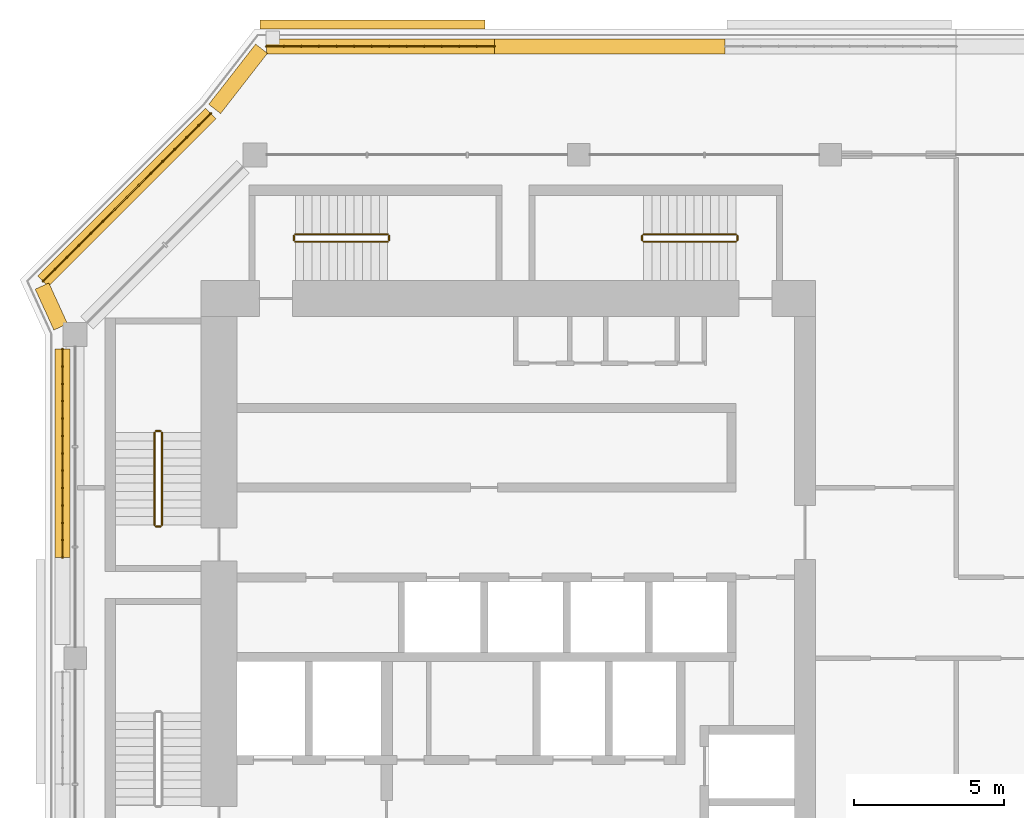
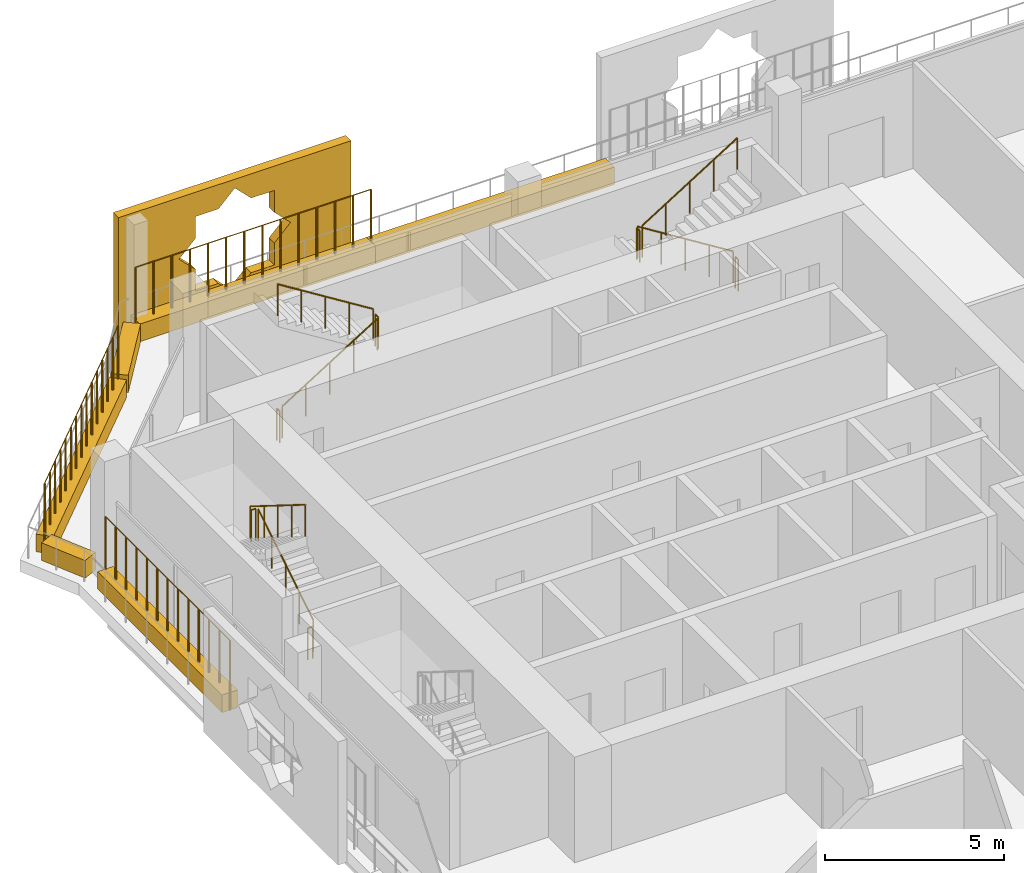
# One storey, part 20 of 22: 15 railings, 7 coverings.
"""IFC4 building model written with IfcOpenShell, lengths in metres."""

from ifc_helpers import new_model, si_unit, direction, frame, origin, origin_2d, place, context, subcontext, project, spatial, polyline, rectangle, circle, outline, extrude, material, material_profile, profile_set, type_object, element, save


model = new_model("IFC4")

# Units and contexts
model_context = context("Model", 3, precision=1e-05, world=origin(), true_north=direction((0.0, 1.0)))
body_context = subcontext(model_context, "Body", "Model", "MODEL_VIEW")
ifc_project = project(units=[si_unit("LENGTHUNIT", "METRE"), si_unit("AREAUNIT", "SQUARE_METRE"), si_unit("VOLUMEUNIT", "CUBIC_METRE"), si_unit("PLANEANGLEUNIT", "RADIAN"), si_unit("MASSUNIT", "GRAM", prefix="KILO")], contexts=[model_context])

# Site, building, storey
site_placement = place(None, origin())
site = spatial("IfcSite", under=ifc_project, at=site_placement, CompositionType="ELEMENT")
building_placement = place(site_placement, origin())
building = spatial("IfcBuilding", under=site, at=building_placement, Name="Kawkab Arch Medical Tower", CompositionType="ELEMENT")
storey_placement = place(building_placement, frame((0.0, 0.0, 298.60009765625)))
storey = spatial("IfcBuildingStorey", under=building, at=storey_placement, Name="L69", CompositionType="ELEMENT", Elevation=298.60009765625)

# Coverings
ifc_material_1 = material(Name="Bronze anodised aluminium mashrabiya panel, eight-point star pattern", Category="aluminium")
ifc_material_profile_1 = material_profile(ifc_material_1, outline(polyline([(-3.75, -2.10009765625), (3.75, -2.10009765625), (3.75, 2.10009765625), (-3.75, 2.10009765625), (-3.75, -2.10009765625)]), holes=[polyline([(1.800048828125, 0.0), (1.272705078125, 0.527099609375), (1.272705078125, 1.272705078125), (0.527099609375, 1.272705078125), (0.0, 1.800048828125), (-0.527099609375, 1.272705078125), (-1.272705078125, 1.272705078125), (-1.272705078125, 0.527099609375), (-1.800048828125, 0.0), (-1.272705078125, -0.527099609375), (-1.272705078125, -1.272705078125), (-0.527099609375, -1.272705078125), (0.0, -1.800048828125), (0.527099609375, -1.272705078125), (1.272705078125, -1.272705078125), (1.272705078125, -0.527099609375), (1.800048828125, 0.0)])]), Name="Mashrabiya panel 7500x4200")
ifc_profile_set_1 = profile_set([ifc_material_profile_1], Name="Bronze anodised aluminium mashrabiya panel, eight-point star pattern")
covering_type_1 = type_object("IfcCoveringType", Name="Mashrabiya panel 7500 x 4200", PredefinedType="USERDEFINED", material=ifc_profile_set_1)
covering_1_placement = place(storey_placement, frame((9.924072265625, 4.199951171875, 1.699951171875), z_axis=(0.0, 1.0, 0.0), x_axis=(-1.0, 0.0, 0.0)))
element("IfcCovering", 1, at=covering_1_placement, inside=storey, type_object=covering_type_1, Name="Mashrabiya panel L69.LOG-01-01.3", ObjectType="SCREEN", PredefinedType="USERDEFINED", context=body_context, shape_type="SweptSolid", body=[
    extrude(outline(polyline([(-3.75, -2.10009765625), (3.75, -2.10009765625), (3.75, 2.10009765625), (-3.75, 2.10009765625), (-3.75, -2.10009765625)]), holes=[polyline([(1.800048828125, 0.0), (1.272705078125, 0.527099609375), (1.272705078125, 1.272705078125), (0.527099609375, 1.272705078125), (0.0, 1.800048828125), (-0.527099609375, 1.272705078125), (-1.272705078125, 1.272705078125), (-1.272705078125, 0.527099609375), (-1.800048828125, 0.0), (-1.272705078125, -0.527099609375), (-1.272705078125, -1.272705078125), (-0.527099609375, -1.272705078125), (0.0, -1.800048828125), (0.527099609375, -1.272705078125), (1.272705078125, -1.272705078125), (1.272705078125, -0.527099609375), (1.800048828125, 0.0)])]), origin(), (0.0, 0.0, 1.0), 0.300048828125),
])
ifc_material_2 = material(Name="Planting soil in a precast trough", Category="concrete")
ifc_material_profile_2 = material_profile(ifc_material_2, rectangle(XDim=0.5, YDim=0.60009765625, at=origin_2d()), Name="Trough 500x600")
ifc_profile_set_2 = profile_set([ifc_material_profile_2], Name="Planting soil in a precast trough")
covering_type_2 = type_object("IfcCoveringType", Name="Planter trough 500 x 600", PredefinedType="USERDEFINED", material=ifc_profile_set_2)
covering_2_placement = place(storey_placement, frame((-0.419921875, -13.43701171875, 0.2998046875), z_axis=(0.0, 1.0, 0.0), x_axis=(-1.0, 0.0, 0.0)))
element("IfcCovering", 2, at=covering_2_placement, inside=storey, type_object=covering_type_2, Name="Planter L69.LOG-01-01.9", ObjectType="PLANTER", PredefinedType="USERDEFINED", context=body_context, shape_type="SweptSolid", body=[
    extrude(rectangle(XDim=0.5, YDim=0.60009765625, at=origin_2d()), origin(), (0.0, 0.0, 1.0), 6.95703125),
])
covering_3_placement = place(storey_placement, frame((-0.47998046875, -5.741943359375, 0.2998046875), z_axis=(-0.415189748133, 0.909734836667, 0.0), x_axis=(-0.909734836667, -0.415189748133, 0.0)))
element("IfcCovering", 3, at=covering_3_placement, inside=storey, type_object=covering_type_2, Name="Planter L69.LOG-01-01.10", ObjectType="PLANTER", PredefinedType="USERDEFINED", context=body_context, shape_type="SweptSolid", body=[
    extrude(rectangle(XDim=0.5, YDim=0.60009765625, at=origin_2d()), origin(), (0.0, 0.0, 1.0), 1.498291015625),
])
covering_4_placement = place(storey_placement, frame((-1.072998046875, -4.217041015625, 0.2998046875), z_axis=(0.707106781187, 0.707106781187, 0.0), x_axis=(-0.707106781187, 0.707106781187, 0.0)))
element("IfcCovering", 4, at=covering_4_placement, inside=storey, type_object=covering_type_2, Name="Planter L69.LOG-01-01.11", ObjectType="PLANTER", PredefinedType="USERDEFINED", context=body_context, shape_type="SweptSolid", body=[
    extrude(rectangle(XDim=0.5, YDim=0.60009765625, at=origin_2d()), origin(), (0.0, 0.0, 1.0), 7.919677734375),
])
covering_5_placement = place(storey_placement, frame((4.658935546875, 1.531982421875, 0.2998046875), z_axis=(0.61404021143, 0.789274742246, 0.0), x_axis=(-0.789274742246, 0.61404021143, 0.0)))
element("IfcCovering", 5, at=covering_5_placement, inside=storey, type_object=covering_type_2, Name="Planter L69.LOG-01-01.12", ObjectType="PLANTER", PredefinedType="USERDEFINED", context=body_context, shape_type="SweptSolid", body=[
    extrude(rectangle(XDim=0.5, YDim=0.60009765625, at=origin_2d()), origin(), (0.0, 0.0, 1.0), 2.54541015625),
])
covering_6_placement = place(storey_placement, frame((6.384033203125, 3.6201171875, 0.2998046875), z_axis=(1.0, 0.0, 0.0), x_axis=(0.0, 1.0, 0.0)))
element("IfcCovering", 6, at=covering_6_placement, inside=storey, type_object=covering_type_2, Name="Planter L69.LOG-01-01.13", ObjectType="PLANTER", PredefinedType="USERDEFINED", context=body_context, shape_type="SweptSolid", body=[
    extrude(rectangle(XDim=0.5, YDim=0.60009765625, at=origin_2d()), origin(), (0.0, 0.0, 1.0), 7.60498046875),
])
covering_7_placement = place(storey_placement, frame((13.989013671875, 3.6201171875, 0.2998046875), z_axis=(1.0, 0.0, 0.0), x_axis=(0.0, 1.0, 0.0)))
element("IfcCovering", 7, at=covering_7_placement, inside=storey, type_object=covering_type_2, Name="Planter L69.LOG-01-01.14", ObjectType="PLANTER", PredefinedType="USERDEFINED", context=body_context, shape_type="SweptSolid", body=[
    extrude(rectangle(XDim=0.5, YDim=0.60009765625, at=origin_2d()), origin(), (0.0, 0.0, 1.0), 7.7060546875),
])

# Railings
ifc_material_3 = material(Name="Bronze anodised aluminium trellis for climbing plants", Category="aluminium")
railing_type_1 = type_object("IfcRailingType", Name="Planting trellis 2400", PredefinedType="USERDEFINED", material=ifc_material_3)
railing_1_placement = place(storey_placement, frame((-0.419921875, -13.43701171875, 0.0)))
element("IfcRailing", 8, at=railing_1_placement, inside=storey, type_object=railing_type_1, Name="Planting trellis L69.LOG-01-01.9", ObjectType="TRELLIS", PredefinedType="USERDEFINED", context=body_context, shape_type="SweptSolid", body=[
    extrude(circle(Radius=0.01513671875, at=origin_2d()), frame((0.0, 0.0, 2.384765625), z_axis=(0.0, 1.0, 0.0), x_axis=(-1.0, 0.0, 0.0)), (0.0, 0.0, 1.0), 6.95703125),
    extrude(circle(Radius=0.030029296875, at=origin_2d()), origin(), (0.0, 0.0, 1.0), 2.369873046875),
    extrude(circle(Radius=0.030029296875, at=origin_2d()), frame((0.0, 0.579833984375, 0.0)), (0.0, 0.0, 1.0), 2.369873046875),
    extrude(circle(Radius=0.030029296875, at=origin_2d()), frame((0.0, 1.159423828125, 0.0)), (0.0, 0.0, 1.0), 2.369873046875),
    extrude(circle(Radius=0.030029296875, at=origin_2d()), frame((0.0, 1.7392578125, 0.0)), (0.0, 0.0, 1.0), 2.369873046875),
    extrude(circle(Radius=0.030029296875, at=origin_2d()), frame((0.0, 2.319091796875, 0.0)), (0.0, 0.0, 1.0), 2.369873046875),
    extrude(circle(Radius=0.030029296875, at=origin_2d()), frame((0.0, 2.898681640625, 0.0)), (0.0, 0.0, 1.0), 2.369873046875),
    extrude(circle(Radius=0.030029296875, at=origin_2d()), frame((0.0, 3.478515625, 0.0)), (0.0, 0.0, 1.0), 2.369873046875),
    extrude(circle(Radius=0.030029296875, at=origin_2d()), frame((0.0, 4.058349609375, 0.0)), (0.0, 0.0, 1.0), 2.369873046875),
    extrude(circle(Radius=0.030029296875, at=origin_2d()), frame((0.0, 4.637939453125, 0.0)), (0.0, 0.0, 1.0), 2.369873046875),
    extrude(circle(Radius=0.030029296875, at=origin_2d()), frame((0.0, 5.2177734375, 0.0)), (0.0, 0.0, 1.0), 2.369873046875),
    extrude(circle(Radius=0.030029296875, at=origin_2d()), frame((0.0, 5.797607421875, 0.0)), (0.0, 0.0, 1.0), 2.369873046875),
    extrude(circle(Radius=0.030029296875, at=origin_2d()), frame((0.0, 6.377197265625, 0.0)), (0.0, 0.0, 1.0), 2.369873046875),
    extrude(circle(Radius=0.030029296875, at=origin_2d()), frame((0.0, 6.95703125, 0.0)), (0.0, 0.0, 1.0), 2.369873046875),
])
railing_2_placement = place(storey_placement, frame((-1.072998046875, -4.217041015625, 0.0)))
element("IfcRailing", 9, at=railing_2_placement, inside=storey, type_object=railing_type_1, Name="Planting trellis L69.LOG-01-01.11", ObjectType="TRELLIS", PredefinedType="USERDEFINED", context=body_context, shape_type="SweptSolid", body=[
    extrude(circle(Radius=0.01513671875, at=origin_2d()), frame((0.0, 0.0, 2.384765625), z_axis=(0.707106781187, 0.707106781187, 0.0), x_axis=(-0.707106781187, 0.707106781187, 0.0)), (0.0, 0.0, 1.0), 7.919677734375),
    extrude(circle(Radius=0.030029296875, at=origin_2d()), origin(), (0.0, 0.0, 1.0), 2.369873046875),
    extrude(circle(Radius=0.030029296875, at=origin_2d()), frame((0.39990234375, 0.39990234375, 0.0)), (0.0, 0.0, 1.0), 2.369873046875),
    extrude(circle(Radius=0.030029296875, at=origin_2d()), frame((0.800048828125, 0.800048828125, 0.0)), (0.0, 0.0, 1.0), 2.369873046875),
    extrude(circle(Radius=0.030029296875, at=origin_2d()), frame((1.199951171875, 1.199951171875, 0.0)), (0.0, 0.0, 1.0), 2.369873046875),
    extrude(circle(Radius=0.030029296875, at=origin_2d()), frame((1.60009765625, 1.60009765625, 0.0)), (0.0, 0.0, 1.0), 2.369873046875),
    extrude(circle(Radius=0.030029296875, at=origin_2d()), frame((2.0, 2.0, 0.0)), (0.0, 0.0, 1.0), 2.369873046875),
    extrude(circle(Radius=0.030029296875, at=origin_2d()), frame((2.400146484375, 2.400146484375, 0.0)), (0.0, 0.0, 1.0), 2.369873046875),
    extrude(circle(Radius=0.030029296875, at=origin_2d()), frame((2.800048828125, 2.800048828125, 0.0)), (0.0, 0.0, 1.0), 2.369873046875),
    extrude(circle(Radius=0.030029296875, at=origin_2d()), frame((3.199951171875, 3.199951171875, 0.0)), (0.0, 0.0, 1.0), 2.369873046875),
    extrude(circle(Radius=0.030029296875, at=origin_2d()), frame((3.60009765625, 3.60009765625, 0.0)), (0.0, 0.0, 1.0), 2.369873046875),
    extrude(circle(Radius=0.030029296875, at=origin_2d()), frame((4.0, 4.0, 0.0)), (0.0, 0.0, 1.0), 2.369873046875),
    extrude(circle(Radius=0.030029296875, at=origin_2d()), frame((4.400146484375, 4.400146484375, 0.0)), (0.0, 0.0, 1.0), 2.369873046875),
    extrude(circle(Radius=0.030029296875, at=origin_2d()), frame((4.800048828125, 4.800048828125, 0.0)), (0.0, 0.0, 1.0), 2.369873046875),
    extrude(circle(Radius=0.030029296875, at=origin_2d()), frame((5.2001953125, 5.2001953125, 0.0)), (0.0, 0.0, 1.0), 2.369873046875),
    extrude(circle(Radius=0.030029296875, at=origin_2d()), frame((5.60009765625, 5.60009765625, 0.0)), (0.0, 0.0, 1.0), 2.369873046875),
])
railing_3_placement = place(storey_placement, frame((6.384033203125, 3.6201171875, 0.0)))
element("IfcRailing", 10, at=railing_3_placement, inside=storey, type_object=railing_type_1, Name="Planting trellis L69.LOG-01-01.13", ObjectType="TRELLIS", PredefinedType="USERDEFINED", context=body_context, shape_type="SweptSolid", body=[
    extrude(circle(Radius=0.01513671875, at=origin_2d()), frame((0.0, 0.0, 2.384765625), z_axis=(1.0, 0.0, 0.0), x_axis=(0.0, 1.0, 0.0)), (0.0, 0.0, 1.0), 7.60498046875),
    extrude(circle(Radius=0.030029296875, at=origin_2d()), origin(), (0.0, 0.0, 1.0), 2.369873046875),
    extrude(circle(Radius=0.030029296875, at=origin_2d()), frame((0.5849609375, 0.0, 0.0)), (0.0, 0.0, 1.0), 2.369873046875),
    extrude(circle(Radius=0.030029296875, at=origin_2d()), frame((1.169921875, 0.0, 0.0)), (0.0, 0.0, 1.0), 2.369873046875),
    extrude(circle(Radius=0.030029296875, at=origin_2d()), frame((1.7548828125, 0.0, 0.0)), (0.0, 0.0, 1.0), 2.369873046875),
    extrude(circle(Radius=0.030029296875, at=origin_2d()), frame((2.340087890625, 0.0, 0.0)), (0.0, 0.0, 1.0), 2.369873046875),
    extrude(circle(Radius=0.030029296875, at=origin_2d()), frame((2.925048828125, 0.0, 0.0)), (0.0, 0.0, 1.0), 2.369873046875),
    extrude(circle(Radius=0.030029296875, at=origin_2d()), frame((3.510009765625, 0.0, 0.0)), (0.0, 0.0, 1.0), 2.369873046875),
    extrude(circle(Radius=0.030029296875, at=origin_2d()), frame((4.094970703125, 0.0, 0.0)), (0.0, 0.0, 1.0), 2.369873046875),
    extrude(circle(Radius=0.030029296875, at=origin_2d()), frame((4.679931640625, 0.0, 0.0)), (0.0, 0.0, 1.0), 2.369873046875),
    extrude(circle(Radius=0.030029296875, at=origin_2d()), frame((5.264892578125, 0.0, 0.0)), (0.0, 0.0, 1.0), 2.369873046875),
    extrude(circle(Radius=0.030029296875, at=origin_2d()), frame((5.85009765625, 0.0, 0.0)), (0.0, 0.0, 1.0), 2.369873046875),
    extrude(circle(Radius=0.030029296875, at=origin_2d()), frame((6.43505859375, 0.0, 0.0)), (0.0, 0.0, 1.0), 2.369873046875),
    extrude(circle(Radius=0.030029296875, at=origin_2d()), frame((7.02001953125, 0.0, 0.0)), (0.0, 0.0, 1.0), 2.369873046875),
    extrude(circle(Radius=0.030029296875, at=origin_2d()), frame((7.60498046875, 0.0, 0.0)), (0.0, 0.0, 1.0), 2.369873046875),
])
ifc_material_4 = material(Name="Stainless steel", Category="steel")
railing_type_2 = type_object("IfcRailingType", Name="Stair guard 1100", PredefinedType="GUARDRAIL", material=ifc_material_4)
railing_4_placement = place(storey_placement, frame((2.89990234375, -12.35009765625, 0.1748046875)))
element("IfcRailing", 11, at=railing_4_placement, inside=storey, type_object=railing_type_2, Name="L69 ST1 stair guard 1", PredefinedType="GUARDRAIL", context=body_context, shape_type="SweptSolid", body=[
    extrude(circle(Radius=0.02392578125, at=origin_2d()), frame((0.0, 0.0, 1.076171875), z_axis=(0.0, 0.847998304005, 0.529998940003), x_axis=(-1.0, 0.0, 0.0)), (0.0, 0.0, 1.0), 3.632080078125),
    extrude(circle(Radius=0.02099609375, at=origin_2d()), origin(), (0.0, 0.0, 1.0), 1.052001953125),
    extrude(circle(Radius=0.02099609375, at=origin_2d()), frame((0.0, 0.77001953125, 0.481201171875)), (0.0, 0.0, 1.0), 1.052001953125),
    extrude(circle(Radius=0.02099609375, at=origin_2d()), frame((0.0, 1.5400390625, 0.96240234375)), (0.0, 0.0, 1.0), 1.052001953125),
    extrude(circle(Radius=0.02099609375, at=origin_2d()), frame((0.0, 2.31005859375, 1.44384765625)), (0.0, 0.0, 1.0), 1.052001953125),
    extrude(circle(Radius=0.02099609375, at=origin_2d()), frame((0.0, 3.080078125, 1.925048828125)), (0.0, 0.0, 1.0), 1.052001953125),
])
railing_5_placement = place(storey_placement, frame((2.85009765625, -9.219970703125, 2.099853515625)))
element("IfcRailing", 12, at=railing_5_placement, inside=storey, type_object=railing_type_2, Name="L69 ST1 stair guard 2", PredefinedType="GUARDRAIL", context=body_context, shape_type="SweptSolid", body=[
    extrude(circle(Radius=0.02392578125, at=origin_2d()), frame((0.0, 0.0, 1.076171875), z_axis=(-1.0, 0.0, 0.0), x_axis=(0.0, -1.0, 0.0)), (0.0, 0.0, 1.0), 0.150146484375),
    extrude(circle(Radius=0.02099609375, at=origin_2d()), origin(), (0.0, 0.0, 1.0), 1.052001953125),
    extrude(circle(Radius=0.02099609375, at=origin_2d()), frame((-0.150146484375, 0.0, 0.0)), (0.0, 0.0, 1.0), 1.052001953125),
])
railing_6_placement = place(storey_placement, frame((2.64990234375, -9.27001953125, 2.27490234375)))
element("IfcRailing", 13, at=railing_6_placement, inside=storey, type_object=railing_type_2, Name="L69 ST1 stair guard 3", PredefinedType="GUARDRAIL", context=body_context, shape_type="SweptSolid", body=[
    extrude(circle(Radius=0.02392578125, at=origin_2d()), frame((0.0, 0.0, 1.076171875), z_axis=(0.0, -0.847998304005, 0.529998940003), x_axis=(1.0, 0.0, 0.0)), (0.0, 0.0, 1.0), 3.632080078125),
    extrude(circle(Radius=0.02099609375, at=origin_2d()), origin(), (0.0, 0.0, 1.0), 1.052001953125),
    extrude(circle(Radius=0.02099609375, at=origin_2d()), frame((0.0, -0.77001953125, 0.481201171875)), (0.0, 0.0, 1.0), 1.052001953125),
    extrude(circle(Radius=0.02099609375, at=origin_2d()), frame((0.0, -1.5400390625, 0.96240234375)), (0.0, 0.0, 1.0), 1.052001953125),
    extrude(circle(Radius=0.02099609375, at=origin_2d()), frame((0.0, -2.31005859375, 1.44384765625)), (0.0, 0.0, 1.0), 1.052001953125),
    extrude(circle(Radius=0.02099609375, at=origin_2d()), frame((0.0, -3.080078125, 1.925048828125)), (0.0, 0.0, 1.0), 1.052001953125),
])
railing_7_placement = place(storey_placement, frame((2.85009765625, -12.39990234375, 0.0)))
element("IfcRailing", 14, at=railing_7_placement, inside=storey, type_object=railing_type_2, Name="L69 ST1 stair guard 4", PredefinedType="GUARDRAIL", context=body_context, shape_type="SweptSolid", body=[
    extrude(circle(Radius=0.02392578125, at=origin_2d()), frame((0.0, 0.0, 1.076171875), z_axis=(-1.0, 0.0, 0.0), x_axis=(0.0, -1.0, 0.0)), (0.0, 0.0, 1.0), 0.150146484375),
    extrude(circle(Radius=0.02099609375, at=origin_2d()), origin(), (0.0, 0.0, 1.0), 1.052001953125),
    extrude(circle(Radius=0.02099609375, at=origin_2d()), frame((-0.150146484375, 0.0, 0.0)), (0.0, 0.0, 1.0), 1.052001953125),
])
railing_8_placement = place(storey_placement, frame((7.35009765625, -2.89990234375, 0.1748046875)))
element("IfcRailing", 15, at=railing_8_placement, inside=storey, type_object=railing_type_2, Name="L69 ST3 stair guard 1", PredefinedType="GUARDRAIL", context=body_context, shape_type="SweptSolid", body=[
    extrude(circle(Radius=0.02392578125, at=origin_2d()), frame((0.0, 0.0, 1.076171875), z_axis=(0.847979421464, 0.0, 0.530029150871), x_axis=(0.0, 1.0, 0.0)), (0.0, 0.0, 1.0), 3.632080078125),
    extrude(circle(Radius=0.02099609375, at=origin_2d()), origin(), (0.0, 0.0, 1.0), 1.052001953125),
    extrude(circle(Radius=0.02099609375, at=origin_2d()), frame((0.77001953125, 0.0, 0.481201171875)), (0.0, 0.0, 1.0), 1.052001953125),
    extrude(circle(Radius=0.02099609375, at=origin_2d()), frame((1.5400390625, 0.0, 0.96240234375)), (0.0, 0.0, 1.0), 1.052001953125),
    extrude(circle(Radius=0.02099609375, at=origin_2d()), frame((2.309814453125, 0.0, 1.44384765625)), (0.0, 0.0, 1.0), 1.052001953125),
    extrude(circle(Radius=0.02099609375, at=origin_2d()), frame((3.079833984375, 0.0, 1.925048828125)), (0.0, 0.0, 1.0), 1.052001953125),
])
railing_9_placement = place(storey_placement, frame((10.47998046875, -2.85009765625, 2.099853515625)))
element("IfcRailing", 16, at=railing_9_placement, inside=storey, type_object=railing_type_2, Name="L69 ST3 stair guard 2", PredefinedType="GUARDRAIL", context=body_context, shape_type="SweptSolid", body=[
    extrude(circle(Radius=0.02392578125, at=origin_2d()), frame((0.0, 0.0, 1.076171875), z_axis=(0.0, 1.0, 0.0), x_axis=(-1.0, 0.0, 0.0)), (0.0, 0.0, 1.0), 0.150146484375),
    extrude(circle(Radius=0.02099609375, at=origin_2d()), origin(), (0.0, 0.0, 1.0), 1.052001953125),
    extrude(circle(Radius=0.02099609375, at=origin_2d()), frame((0.0, 0.150146484375, 0.0)), (0.0, 0.0, 1.0), 1.052001953125),
])
railing_10_placement = place(storey_placement, frame((10.429931640625, -2.64990234375, 2.27490234375)))
element("IfcRailing", 17, at=railing_10_placement, inside=storey, type_object=railing_type_2, Name="L69 ST3 stair guard 3", PredefinedType="GUARDRAIL", context=body_context, shape_type="SweptSolid", body=[
    extrude(circle(Radius=0.02392578125, at=origin_2d()), frame((0.0, 0.0, 1.076171875), z_axis=(-0.847979421464, 0.0, 0.530029150871), x_axis=(0.0, -1.0, 0.0)), (0.0, 0.0, 1.0), 3.632080078125),
    extrude(circle(Radius=0.02099609375, at=origin_2d()), origin(), (0.0, 0.0, 1.0), 1.052001953125),
    extrude(circle(Radius=0.02099609375, at=origin_2d()), frame((-0.77001953125, 0.0, 0.481201171875)), (0.0, 0.0, 1.0), 1.052001953125),
    extrude(circle(Radius=0.02099609375, at=origin_2d()), frame((-1.5400390625, 0.0, 0.96240234375)), (0.0, 0.0, 1.0), 1.052001953125),
    extrude(circle(Radius=0.02099609375, at=origin_2d()), frame((-2.309814453125, 0.0, 1.44384765625)), (0.0, 0.0, 1.0), 1.052001953125),
    extrude(circle(Radius=0.02099609375, at=origin_2d()), frame((-3.079833984375, 0.0, 1.925048828125)), (0.0, 0.0, 1.0), 1.052001953125),
])
railing_11_placement = place(storey_placement, frame((7.300048828125, -2.85009765625, 0.0)))
element("IfcRailing", 18, at=railing_11_placement, inside=storey, type_object=railing_type_2, Name="L69 ST3 stair guard 4", PredefinedType="GUARDRAIL", context=body_context, shape_type="SweptSolid", body=[
    extrude(circle(Radius=0.02392578125, at=origin_2d()), frame((0.0, 0.0, 1.076171875), z_axis=(0.0, 1.0, 0.0), x_axis=(-1.0, 0.0, 0.0)), (0.0, 0.0, 1.0), 0.150146484375),
    extrude(circle(Radius=0.02099609375, at=origin_2d()), origin(), (0.0, 0.0, 1.0), 1.052001953125),
    extrude(circle(Radius=0.02099609375, at=origin_2d()), frame((0.0, 0.150146484375, 0.0)), (0.0, 0.0, 1.0), 1.052001953125),
])
railing_12_placement = place(storey_placement, frame((22.050048828125, -2.64990234375, 0.1748046875)))
element("IfcRailing", 19, at=railing_12_placement, inside=storey, type_object=railing_type_2, Name="L69 ST4 stair guard 1", PredefinedType="GUARDRAIL", context=body_context, shape_type="SweptSolid", body=[
    extrude(circle(Radius=0.02392578125, at=origin_2d()), frame((0.0, 0.0, 1.076171875), z_axis=(-0.847998304005, 0.0, 0.529998940003), x_axis=(0.0, -1.0, 0.0)), (0.0, 0.0, 1.0), 3.632080078125),
    extrude(circle(Radius=0.02099609375, at=origin_2d()), origin(), (0.0, 0.0, 1.0), 1.052001953125),
    extrude(circle(Radius=0.02099609375, at=origin_2d()), frame((-0.77001953125, 0.0, 0.481201171875)), (0.0, 0.0, 1.0), 1.052001953125),
    extrude(circle(Radius=0.02099609375, at=origin_2d()), frame((-1.5400390625, 0.0, 0.96240234375)), (0.0, 0.0, 1.0), 1.052001953125),
    extrude(circle(Radius=0.02099609375, at=origin_2d()), frame((-2.31005859375, 0.0, 1.44384765625)), (0.0, 0.0, 1.0), 1.052001953125),
    extrude(circle(Radius=0.02099609375, at=origin_2d()), frame((-3.080078125, 0.0, 1.925048828125)), (0.0, 0.0, 1.0), 1.052001953125),
])
railing_13_placement = place(storey_placement, frame((18.919921875, -2.699951171875, 2.099853515625)))
element("IfcRailing", 20, at=railing_13_placement, inside=storey, type_object=railing_type_2, Name="L69 ST4 stair guard 2", PredefinedType="GUARDRAIL", context=body_context, shape_type="SweptSolid", body=[
    extrude(circle(Radius=0.02392578125, at=origin_2d()), frame((0.0, 0.0, 1.076171875), z_axis=(0.0, -1.0, 0.0), x_axis=(1.0, 0.0, 0.0)), (0.0, 0.0, 1.0), 0.150146484375),
    extrude(circle(Radius=0.02099609375, at=origin_2d()), origin(), (0.0, 0.0, 1.0), 1.052001953125),
    extrude(circle(Radius=0.02099609375, at=origin_2d()), frame((0.0, -0.150146484375, 0.0)), (0.0, 0.0, 1.0), 1.052001953125),
])
railing_14_placement = place(storey_placement, frame((18.969970703125, -2.89990234375, 2.27490234375)))
element("IfcRailing", 21, at=railing_14_placement, inside=storey, type_object=railing_type_2, Name="L69 ST4 stair guard 3", PredefinedType="GUARDRAIL", context=body_context, shape_type="SweptSolid", body=[
    extrude(circle(Radius=0.02392578125, at=origin_2d()), frame((0.0, 0.0, 1.076171875), z_axis=(0.847998304005, 0.0, 0.529998940003), x_axis=(0.0, 1.0, 0.0)), (0.0, 0.0, 1.0), 3.632080078125),
    extrude(circle(Radius=0.02099609375, at=origin_2d()), origin(), (0.0, 0.0, 1.0), 1.052001953125),
    extrude(circle(Radius=0.02099609375, at=origin_2d()), frame((0.77001953125, 0.0, 0.481201171875)), (0.0, 0.0, 1.0), 1.052001953125),
    extrude(circle(Radius=0.02099609375, at=origin_2d()), frame((1.5400390625, 0.0, 0.96240234375)), (0.0, 0.0, 1.0), 1.052001953125),
    extrude(circle(Radius=0.02099609375, at=origin_2d()), frame((2.31005859375, 0.0, 1.44384765625)), (0.0, 0.0, 1.0), 1.052001953125),
    extrude(circle(Radius=0.02099609375, at=origin_2d()), frame((3.080078125, 0.0, 1.925048828125)), (0.0, 0.0, 1.0), 1.052001953125),
])
railing_15_placement = place(storey_placement, frame((22.10009765625, -2.699951171875, 0.0)))
element("IfcRailing", 22, at=railing_15_placement, inside=storey, type_object=railing_type_2, Name="L69 ST4 stair guard 4", PredefinedType="GUARDRAIL", context=body_context, shape_type="SweptSolid", body=[
    extrude(circle(Radius=0.02392578125, at=origin_2d()), frame((0.0, 0.0, 1.076171875), z_axis=(0.0, -1.0, 0.0), x_axis=(1.0, 0.0, 0.0)), (0.0, 0.0, 1.0), 0.150146484375),
    extrude(circle(Radius=0.02099609375, at=origin_2d()), origin(), (0.0, 0.0, 1.0), 1.052001953125),
    extrude(circle(Radius=0.02099609375, at=origin_2d()), frame((0.0, -0.150146484375, 0.0)), (0.0, 0.0, 1.0), 1.052001953125),
])

save(model, "model.ifc")
